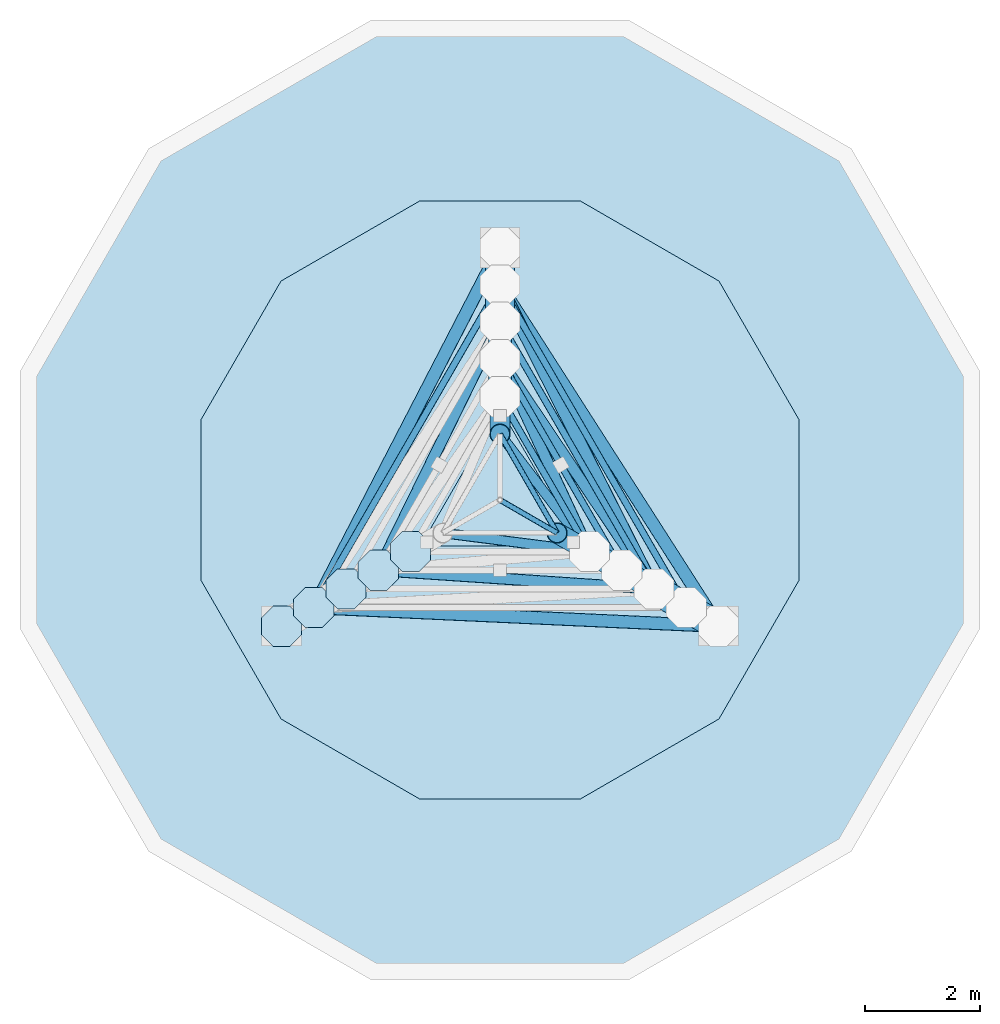
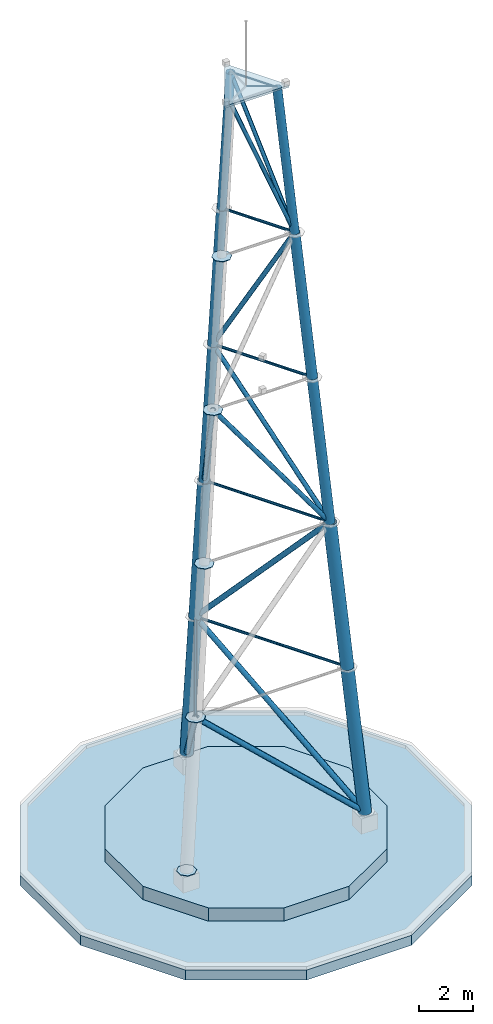
# One storey, part 3 of 7: 27 members, 6 plates, 2 slabs.
"""IFC4 building model written with IfcOpenShell, lengths in metres."""

from ifc_helpers import new_model, si_unit, direction, frame, origin, origin_2d, place, context, subcontext, project, spatial, polyline, hollow_circle, outline, extrude, material, layer, layer_set, material_profile, profile_set, type_object, element, save


model = new_model("IFC4")

# Units and contexts
model_context = context("Model", 3, precision=1e-05, world=origin(), true_north=direction((0.0, 1.0)))
body_context = subcontext(model_context, "Body", "Model", "MODEL_VIEW")
ifc_project = project(units=[si_unit("LENGTHUNIT", "METRE"), si_unit("AREAUNIT", "SQUARE_METRE"), si_unit("VOLUMEUNIT", "CUBIC_METRE"), si_unit("PLANEANGLEUNIT", "RADIAN"), si_unit("MASSUNIT", "GRAM", prefix="KILO")], contexts=[model_context])

# Site, building, storey
site_placement = place(None, origin())
site = spatial("IfcSite", under=ifc_project, at=site_placement, CompositionType="ELEMENT")
building_placement = place(site_placement, origin())
building = spatial("IfcBuilding", under=site, at=building_placement, Name="Trine Commons Tower", CompositionType="ELEMENT")
storey_placement = place(building_placement, frame((0.0, 0.0, 314.10009765625)))
storey = spatial("IfcBuildingStorey", under=building, at=storey_placement, Name="ROOF MAST BASE", CompositionType="ELEMENT", Elevation=314.10009765625)

# Members
ifc_material_1 = material(Name="Structural steel ASTM A500 Gr C", Category="steel")
ifc_material_profile_1 = material_profile(ifc_material_1, hollow_circle(Radius=0.084228515625, WallThickness=0.006591796875, at=origin_2d()), Name="HSS6.625X0.280")
ifc_profile_set_1 = profile_set([ifc_material_profile_1], Name="Structural steel ASTM A500 Gr C")
member_type_1 = type_object("IfcMemberType", Name="Steel brace HSS6.625X0.280, ASTM A500 Gr C", PredefinedType="BRACE", material=ifc_profile_set_1)
for number, where, z_axis, x_axis, name in (
    (1, (81.558837890625, 61.60009765625, 27.949951171875), (-0.362978576366, 0.046170153397, 0.930652926732), (-0.126181342925, -0.992007191858, 0.0), "MAST brace B panel 5"),
    (2, (81.558837890625, 61.60009765625, 27.949951171875), (-0.2214856957, 0.291244150524, 0.930656183231), (-0.795977644306, -0.605326019402, 0.0), "MAST brace C panel 5"),
):
    element("IfcMember", number, at=place(storey_placement, frame(where, z_axis=z_axis, x_axis=x_axis)), inside=storey, type_object=member_type_1, Name=name, PredefinedType="BRACE", context=body_context, shape_type="SweptSolid", body=[
        extrude(hollow_circle(Radius=0.084228515625, WallThickness=0.006591796875, at=origin_2d()), origin(), (0.0, 0.0, 1.0), 7.0380859375),
    ])
ifc_material_profile_2 = material_profile(ifc_material_1, hollow_circle(Radius=0.09521484375, WallThickness=0.0087890625, at=origin_2d()), Name="HSS7.500X0.375")
ifc_profile_set_2 = profile_set([ifc_material_profile_2], Name="Structural steel ASTM A500 Gr C")
member_type_2 = type_object("IfcMemberType", Name="Steel brace HSS7.500X0.375, ASTM A500 Gr C", PredefinedType="BRACE", material=ifc_profile_set_2)
for number, where, z_axis, x_axis, name in (
    (3, (80.0, 65.60009765625, 14.849853515625), (-0.260956237499, -0.531941169432, 0.805568392114), (0.897786763601, -0.440430388488, 0.0), "MAST brace A panel 3"),
    (4, (82.684814453125, 60.949951171875, 14.849853515625), (-0.59115283134, 0.039964669774, 0.805568839497), (-0.06745067017, -0.997722610295, 0.0), "MAST brace B panel 3"),
    (5, (82.684814453125, 60.949951171875, 14.849853515625), (-0.33019934253, 0.491951080114, 0.805575898949), (-0.830307563565, -0.5573054368, 0.0), "MAST brace C panel 3"),
):
    element("IfcMember", number, at=place(storey_placement, frame(where, z_axis=z_axis, x_axis=x_axis)), inside=storey, type_object=member_type_2, Name=name, PredefinedType="BRACE", context=body_context, shape_type="SweptSolid", body=[
        extrude(hollow_circle(Radius=0.09521484375, WallThickness=0.0087890625, at=origin_2d()), origin(), (0.0, 0.0, 1.0), 8.130859375),
    ])
member_1_placement = place(storey_placement, frame((80.0, 64.949951171875, 21.39990234375), z_axis=(0.207284513381, -0.445442569789, 0.870984527722), x_axis=(0.906641768257, 0.421901296576, 0.0)))
element("IfcMember", 6, at=member_1_placement, inside=storey, type_object=member_type_2, Name="MAST brace C panel 4", PredefinedType="BRACE", context=body_context, shape_type="SweptSolid", body=[
    extrude(hollow_circle(Radius=0.09521484375, WallThickness=0.0087890625, at=origin_2d()), origin(), (0.0, 0.0, 1.0), 7.520263671875),
])
ifc_material_profile_3 = material_profile(ifc_material_1, hollow_circle(Radius=0.109619140625, WallThickness=0.01171875, at=origin_2d()), Name="HSS8.625X0.500")
ifc_profile_set_3 = profile_set([ifc_material_profile_3], Name="Structural steel ASTM A500 Gr C")
member_type_3 = type_object("IfcMemberType", Name="Steel brace HSS8.625X0.500, ASTM A500 Gr C", PredefinedType="BRACE", material=ifc_profile_set_3)
member_2_placement = place(storey_placement, frame((80.0, 66.89990234375, 1.75), z_axis=(-0.337080730367, -0.651304234844, 0.679837756299), x_axis=(0.888106759268, -0.459637231024, 0.0)))
element("IfcMember", 7, at=member_2_placement, inside=storey, type_object=member_type_3, Name="MAST brace A panel 1", PredefinedType="BRACE", context=body_context, shape_type="SweptSolid", body=[
    extrude(hollow_circle(Radius=0.109619140625, WallThickness=0.01171875, at=origin_2d()), origin(), (0.0, 0.0, 1.0), 9.63427734375),
])
for number, where, z_axis, x_axis, name in (
    (8, (83.810546875, 60.300048828125, 1.75), (-0.732591332796, 0.033728089379, 0.679832593437), (-0.045990716886, -0.998941867158, 0.0), "MAST brace B panel 1"),
    (9, (83.810546875, 60.300048828125, 1.75), (-0.395513715462, 0.617572063014, 0.679833544234), (-0.842105691882, -0.53931252878, 0.0), "MAST brace C panel 1"),
):
    element("IfcMember", number, at=place(storey_placement, frame(where, z_axis=z_axis, x_axis=x_axis)), inside=storey, type_object=member_type_3, Name=name, PredefinedType="BRACE", context=body_context, shape_type="SweptSolid", body=[
        extrude(hollow_circle(Radius=0.109619140625, WallThickness=0.01171875, at=origin_2d()), origin(), (0.0, 0.0, 1.0), 9.634521484375),
    ])
member_3_placement = place(storey_placement, frame((80.0, 66.25, 8.2998046875), z_axis=(0.303602724024, -0.599337231594, 0.74068905), x_axis=(0.892072662536, 0.451891983505, 0.0)))
element("IfcMember", 10, at=member_3_placement, inside=storey, type_object=member_type_3, Name="MAST brace C panel 2", PredefinedType="BRACE", context=body_context, shape_type="SweptSolid", body=[
    extrude(hollow_circle(Radius=0.109619140625, WallThickness=0.01171875, at=origin_2d()), origin(), (0.0, 0.0, 1.0), 8.84326171875),
])
ifc_material_profile_4 = material_profile(ifc_material_1, hollow_circle(Radius=0.177734375, WallThickness=0.01171875, at=origin_2d()), Name="HSS14.000X0.500")
ifc_profile_set_4 = profile_set([ifc_material_profile_4], Name="Structural steel ASTM A500 Gr C")
member_type_4 = type_object("IfcMemberType", Name="Steel chord HSS14.000X0.500, ASTM A500 Gr C", PredefinedType="CHORD", material=ifc_profile_set_4)
for number, where, z_axis, x_axis, name in (
    (11, (80.0, 64.300048828125, 27.949951171875), (0.0, -0.098772892572, 0.995110001805), (1.0, 0.0, 0.0), "MAST leg A panel 5"),
    (12, (81.558837890625, 61.60009765625, 27.949951171875), (-0.08553160417, 0.049367981418, 0.995111625447), (-0.49989585183, -0.866085525409, 0.0), "MAST leg C panel 5"),
):
    element("IfcMember", number, at=place(storey_placement, frame(where, z_axis=z_axis, x_axis=x_axis)), inside=storey, type_object=member_type_4, Name=name, PredefinedType="CHORD", context=body_context, shape_type="SweptSolid", body=[
        extrude(hollow_circle(Radius=0.177734375, WallThickness=0.01171875, at=origin_2d()), origin(), (0.0, 0.0, 1.0), 6.582275390625),
    ])
ifc_material_profile_5 = material_profile(ifc_material_1, hollow_circle(Radius=0.203125, WallThickness=0.01171875, at=origin_2d()), Name="HSS16.000X0.500")
ifc_profile_set_5 = profile_set([ifc_material_profile_5], Name="Structural steel ASTM A500 Gr C")
member_type_5 = type_object("IfcMemberType", Name="Steel chord HSS16.000X0.500, ASTM A500 Gr C", PredefinedType="CHORD", material=ifc_profile_set_5)
for number, where, z_axis, x_axis, name in (
    (13, (80.0, 65.60009765625, 14.849853515625), (0.0, -0.098772892572, 0.995110001805), (1.0, 0.0, 0.0), "MAST leg A panel 3"),
    (14, (82.684814453125, 60.949951171875, 14.849853515625), (-0.08553160417, 0.049367981418, 0.995111625447), (-0.49989585183, -0.866085525409, 0.0), "MAST leg C panel 3"),
    (15, (80.0, 64.949951171875, 21.39990234375), (0.0, -0.098736163397, 0.995113646795), (1.0, 0.0, 0.0), "MAST leg A panel 4"),
    (16, (82.121826171875, 61.27490234375, 21.39990234375), (-0.085531447495, 0.049404981814, 0.995109802616), (-0.50017749597, -0.865922902183, 0.0), "MAST leg C panel 4"),
):
    element("IfcMember", number, at=place(storey_placement, frame(where, z_axis=z_axis, x_axis=x_axis)), inside=storey, type_object=member_type_5, Name=name, PredefinedType="CHORD", context=body_context, shape_type="SweptSolid", body=[
        extrude(hollow_circle(Radius=0.203125, WallThickness=0.01171875, at=origin_2d()), origin(), (0.0, 0.0, 1.0), 6.582275390625),
    ])
ifc_material_profile_6 = material_profile(ifc_material_1, hollow_circle(Radius=0.25390625, WallThickness=0.01171875, at=origin_2d()), Name="HSS20.000X0.500")
ifc_profile_set_6 = profile_set([ifc_material_profile_6], Name="Structural steel ASTM A500 Gr C")
member_type_6 = type_object("IfcMemberType", Name="Steel chord HSS20.000X0.500, ASTM A500 Gr C", PredefinedType="CHORD", material=ifc_profile_set_6)
for number, where, z_axis, x_axis, name in (
    (17, (80.0, 66.89990234375, 1.75), (0.0, -0.098739807856, 0.995113285181), (1.0, 0.0, 0.0), "MAST leg A panel 1"),
    (18, (83.810546875, 60.300048828125, 1.75), (-0.085534761222, 0.049369803637, 0.995111263684), (-0.49989585183, -0.866085525409, 0.0), "MAST leg C panel 1"),
):
    element("IfcMember", number, at=place(storey_placement, frame(where, z_axis=z_axis, x_axis=x_axis)), inside=storey, type_object=member_type_6, Name=name, PredefinedType="CHORD", context=body_context, shape_type="SweptSolid", body=[
        extrude(hollow_circle(Radius=0.25390625, WallThickness=0.01171875, at=origin_2d()), origin(), (0.0, 0.0, 1.0), 6.58203125),
    ])
for number, where, z_axis, x_axis, name in (
    (19, (80.0, 66.25, 8.2998046875), (0.0, -0.098736163397, 0.995113646795), (1.0, 0.0, 0.0), "MAST leg A panel 2"),
    (20, (83.24755859375, 60.625, 8.2998046875), (-0.085494784444, 0.049368138002, 0.995114781713), (-0.500058503878, -0.86599162392, 0.0), "MAST leg C panel 2"),
):
    element("IfcMember", number, at=place(storey_placement, frame(where, z_axis=z_axis, x_axis=x_axis)), inside=storey, type_object=member_type_6, Name=name, PredefinedType="CHORD", context=body_context, shape_type="SweptSolid", body=[
        extrude(hollow_circle(Radius=0.25390625, WallThickness=0.01171875, at=origin_2d()), origin(), (0.0, 0.0, 1.0), 6.582275390625),
    ])
ifc_material_profile_7 = material_profile(ifc_material_1, hollow_circle(Radius=0.04443359375, WallThickness=0.005126953125, at=origin_2d()), Name="HSS3.500X0.216")
ifc_profile_set_7 = profile_set([ifc_material_profile_7], Name="Structural steel ASTM A500 Gr C")
member_type_7 = type_object("IfcMemberType", Name="Steel strut HSS3.500X0.216, ASTM A500 Gr C", PredefinedType="STRUT", material=ifc_profile_set_7)
member_4_placement = place(storey_placement, frame((80.995849609375, 61.925048828125, 34.5), z_axis=(-0.500001870701, 0.866024323732, 0.0), x_axis=(-0.866024323732, -0.500001870701, 0.0)))
element("IfcMember", 21, at=member_4_placement, inside=storey, type_object=member_type_7, Name="MAST horizontal C level 5", PredefinedType="STRUT", context=body_context, shape_type="SweptSolid", body=[
    extrude(hollow_circle(Radius=0.04443359375, WallThickness=0.005126953125, at=origin_2d()), origin(), (0.0, 0.0, 1.0), 1.99169921875),
])
member_5_placement = place(storey_placement, frame((80.995849609375, 61.925048828125, 34.555419921875), z_axis=(-0.86602648383, 0.499998129301, 0.0), x_axis=(-0.499998129301, -0.86602648383, 0.0)))
element("IfcMember", 22, at=member_5_placement, inside=storey, type_object=member_type_7, Name="MAST hub arm C", PredefinedType="STRUT", context=body_context, shape_type="SweptSolid", body=[
    extrude(hollow_circle(Radius=0.04443359375, WallThickness=0.005126953125, at=origin_2d()), origin(), (0.0, 0.0, 1.0), 1.14990234375),
])
ifc_material_profile_8 = material_profile(ifc_material_1, hollow_circle(Radius=0.05712890625, WallThickness=0.005615234375, at=origin_2d()), Name="HSS4.500X0.237")
ifc_profile_set_8 = profile_set([ifc_material_profile_8], Name="Structural steel ASTM A500 Gr C")
member_type_8 = type_object("IfcMemberType", Name="Steel strut HSS4.500X0.237, ASTM A500 Gr C", PredefinedType="STRUT", material=ifc_profile_set_8)
for number, where, z_axis, x_axis, name in (
    (23, (80.0, 66.25, 8.2998046875), (-0.499995765644, -0.866027848477, 0.0), (0.866027848477, -0.499995765644, 0.0), "MAST horizontal A level 1"),
    (24, (83.24755859375, 60.625, 8.2998046875), (-0.499995765644, 0.866027848477, 0.0), (-0.866027848477, -0.499995765644, 0.0), "MAST horizontal C level 1"),
):
    element("IfcMember", number, at=place(storey_placement, frame(where, z_axis=z_axis, x_axis=x_axis)), inside=storey, type_object=member_type_8, Name=name, PredefinedType="STRUT", context=body_context, shape_type="SweptSolid", body=[
        extrude(hollow_circle(Radius=0.05712890625, WallThickness=0.005615234375, at=origin_2d()), origin(), (0.0, 0.0, 1.0), 6.4951171875),
    ])
member_6_placement = place(storey_placement, frame((82.684814453125, 60.949951171875, 14.849853515625), z_axis=(-0.500007141444, 0.86602128063, 0.0), x_axis=(-0.86602128063, -0.500007141444, 0.0)))
element("IfcMember", 25, at=member_6_placement, inside=storey, type_object=member_type_8, Name="MAST horizontal C level 2", PredefinedType="STRUT", context=body_context, shape_type="SweptSolid", body=[
    extrude(hollow_circle(Radius=0.05712890625, WallThickness=0.005615234375, at=origin_2d()), origin(), (0.0, 0.0, 1.0), 5.36962890625),
])
member_7_placement = place(storey_placement, frame((82.121826171875, 61.27490234375, 21.39990234375), z_axis=(-0.500006316855, 0.866021756716, 0.0), x_axis=(-0.866021756716, -0.500006316855, 0.0)))
element("IfcMember", 26, at=member_7_placement, inside=storey, type_object=member_type_8, Name="MAST horizontal C level 3", PredefinedType="STRUT", context=body_context, shape_type="SweptSolid", body=[
    extrude(hollow_circle(Radius=0.05712890625, WallThickness=0.005615234375, at=origin_2d()), origin(), (0.0, 0.0, 1.0), 4.24365234375),
])
member_8_placement = place(storey_placement, frame((81.558837890625, 61.60009765625, 27.949951171875), z_axis=(-0.500004896655, 0.866022576681, 0.0), x_axis=(-0.866022576681, -0.500004896655, 0.0)))
element("IfcMember", 27, at=member_8_placement, inside=storey, type_object=member_type_8, Name="MAST horizontal C level 4", PredefinedType="STRUT", context=body_context, shape_type="SweptSolid", body=[
    extrude(hollow_circle(Radius=0.05712890625, WallThickness=0.005615234375, at=origin_2d()), origin(), (0.0, 0.0, 1.0), 3.11767578125),
])

# Slab
ifc_material_2 = material(Name="Concrete C50/60", Category="concrete")
ifc_layer_1 = layer(ifc_material_2, 0.449951171875)
ifc_layer_set_1 = layer_set([ifc_layer_1], Name="Concrete C50/60")
slab_type_1 = type_object("IfcSlabType", Name="Drum roof slab 450 mm, C50/60", PredefinedType="ROOF", material=ifc_layer_set_1)
slab_1_placement = place(storey_placement, origin())
element("IfcSlab", 28, at=slab_1_placement, inside=storey, type_object=slab_type_1, Name="Plant drum roof slab", PredefinedType="ROOF", context=body_context, shape_type="SweptSolid", body=[
    extrude(outline(polyline([(88.37060546875, 64.742919921875), (86.127685546875, 68.627685546875), (82.242919921875, 70.87060546875), (77.757080078125, 70.87060546875), (73.872314453125, 68.627685546875), (71.62939453125, 64.742919921875), (71.62939453125, 60.257080078125), (73.872314453125, 56.372314453125), (77.757080078125, 54.12939453125), (82.242919921875, 54.12939453125), (86.127685546875, 56.372314453125), (88.37060546875, 60.257080078125), (88.37060546875, 64.742919921875)])), origin(), (0.0, 0.0, 1.0), 0.449951171875),
])

# Plates
ifc_material_3 = material(Name="Structural steel plate ASTM A572 Gr50, galvanised", Category="steel")
ifc_layer_2 = layer(ifc_material_3, 0.10009765625)
ifc_layer_set_2 = layer_set([ifc_layer_2], Name="Structural steel plate ASTM A572 Gr50, galvanised")
plate_type_1 = type_object("IfcPlateType", Name="Mast head platform 100", PredefinedType="SHEET", material=ifc_layer_set_2)
plate_1_placement = place(storey_placement, frame((0.0, 0.0, 34.5)))
element("IfcPlate", 29, at=plate_1_placement, inside=storey, type_object=plate_type_1, Name="MAST head platform", PredefinedType="SHEET", context=body_context, shape_type="SweptSolid", body=[
    extrude(outline(polyline([(80.0, 64.10009765625), (78.614501953125, 61.699951171875), (81.385498046875, 61.699951171875), (80.0, 64.10009765625)])), origin(), (0.0, 0.0, 1.0), 0.099853515625),
])
ifc_layer_3 = layer(ifc_material_3, 0.02490234375)
ifc_layer_set_3 = layer_set([ifc_layer_3], Name="Structural steel plate ASTM A572 Gr50, galvanised")
plate_type_2 = type_object("IfcPlateType", Name="Mast node plate 25", PredefinedType="SHEET", material=ifc_layer_set_3)
plate_2_placement = place(storey_placement, frame((0.0, 0.0, 1.75)))
element("IfcPlate", 30, at=plate_2_placement, inside=storey, type_object=plate_type_2, Name="MAST node plate B level 1", PredefinedType="SHEET", context=body_context, shape_type="SweptSolid", body=[
    extrude(outline(polyline([(76.54052734375, 60.4453125), (76.3349609375, 60.651123046875), (76.044189453125, 60.651123046875), (75.83837890625, 60.4453125), (75.83837890625, 60.154541015625), (76.044189453125, 59.948974609375), (76.3349609375, 59.948974609375), (76.54052734375, 60.154541015625), (76.54052734375, 60.4453125)])), origin(), (0.0, 0.0, 1.0), 0.02490234375),
])
plate_3_placement = place(storey_placement, frame((0.0, 0.0, 8.287353515625)))
element("IfcPlate", 31, at=plate_3_placement, inside=storey, type_object=plate_type_2, Name="MAST node plate B level 2", PredefinedType="SHEET", context=body_context, shape_type="SweptSolid", body=[
    extrude(outline(polyline([(77.103515625, 60.7705078125), (76.897705078125, 60.97607421875), (76.60693359375, 60.97607421875), (76.4013671875, 60.7705078125), (76.4013671875, 60.4794921875), (76.60693359375, 60.27392578125), (76.897705078125, 60.27392578125), (77.103515625, 60.4794921875), (77.103515625, 60.7705078125)])), origin(), (0.0, 0.0, 1.0), 0.025146484375),
])
plate_4_placement = place(storey_placement, frame((0.0, 0.0, 14.83740234375)))
element("IfcPlate", 32, at=plate_4_placement, inside=storey, type_object=plate_type_2, Name="MAST node plate B level 3", PredefinedType="SHEET", context=body_context, shape_type="SweptSolid", body=[
    extrude(outline(polyline([(77.66650390625, 61.095458984375), (77.460693359375, 61.301025390625), (77.169921875, 61.301025390625), (76.964111328125, 61.095458984375), (76.964111328125, 60.8046875), (77.169921875, 60.598876953125), (77.460693359375, 60.598876953125), (77.66650390625, 60.8046875), (77.66650390625, 61.095458984375)])), origin(), (0.0, 0.0, 1.0), 0.02490234375),
])
plate_5_placement = place(storey_placement, frame((0.0, 0.0, 21.387451171875)))
element("IfcPlate", 33, at=plate_5_placement, inside=storey, type_object=plate_type_2, Name="MAST node plate B level 4", PredefinedType="SHEET", context=body_context, shape_type="SweptSolid", body=[
    extrude(outline(polyline([(78.229248046875, 61.42041015625), (78.023681640625, 61.626220703125), (77.73291015625, 61.626220703125), (77.527099609375, 61.42041015625), (77.527099609375, 61.129638671875), (77.73291015625, 60.923828125), (78.023681640625, 60.923828125), (78.229248046875, 61.129638671875), (78.229248046875, 61.42041015625)])), origin(), (0.0, 0.0, 1.0), 0.02490234375),
])
plate_6_placement = place(storey_placement, frame((0.0, 0.0, 27.9375)))
element("IfcPlate", 34, at=plate_6_placement, inside=storey, type_object=plate_type_2, Name="MAST node plate B level 5", PredefinedType="SHEET", context=body_context, shape_type="SweptSolid", body=[
    extrude(outline(polyline([(78.792236328125, 61.745361328125), (78.586669921875, 61.951171875), (78.295654296875, 61.951171875), (78.090087890625, 61.745361328125), (78.090087890625, 61.45458984375), (78.295654296875, 61.248779296875), (78.586669921875, 61.248779296875), (78.792236328125, 61.45458984375), (78.792236328125, 61.745361328125)])), origin(), (0.0, 0.0, 1.0), 0.02490234375),
])

# Slab
ifc_layer_4 = layer(ifc_material_2, 0.60009765625)
ifc_layer_set_4 = layer_set([ifc_layer_4], Name="Concrete C50/60")
slab_type_2 = type_object("IfcSlabType", Name="Mast plinth slab 600 mm, C50/60", PredefinedType="ROOF", material=ifc_layer_set_4)
slab_2_placement = place(storey_placement, frame((0.0, 0.0, 0.449951171875)))
element("IfcSlab", 35, at=slab_2_placement, inside=storey, type_object=slab_type_2, Name="Mast plinth slab", PredefinedType="ROOF", context=body_context, shape_type="SweptSolid", body=[
    extrude(outline(polyline([(85.216064453125, 63.897705078125), (83.818359375, 66.318359375), (81.397705078125, 67.716064453125), (78.602294921875, 67.716064453125), (76.181640625, 66.318359375), (74.783935546875, 63.897705078125), (74.783935546875, 61.102294921875), (76.181640625, 58.681640625), (78.602294921875, 57.283935546875), (81.397705078125, 57.283935546875), (83.818359375, 58.681640625), (85.216064453125, 61.102294921875), (85.216064453125, 63.897705078125)])), origin(), (0.0, 0.0, 1.0), 0.599853515625),
])

save(model, "model.ifc")
